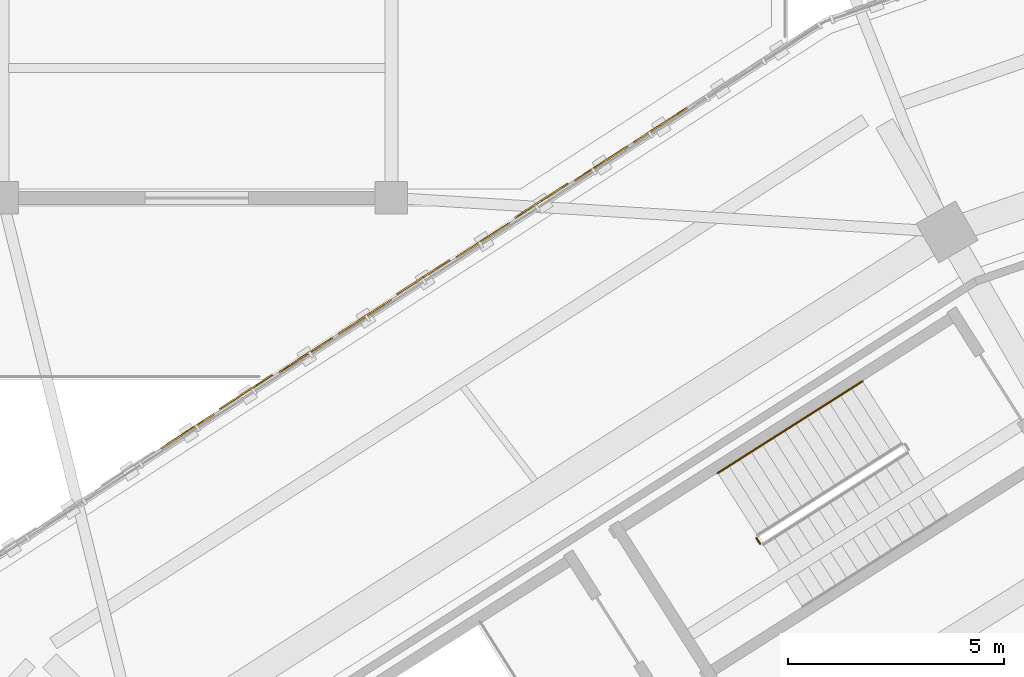
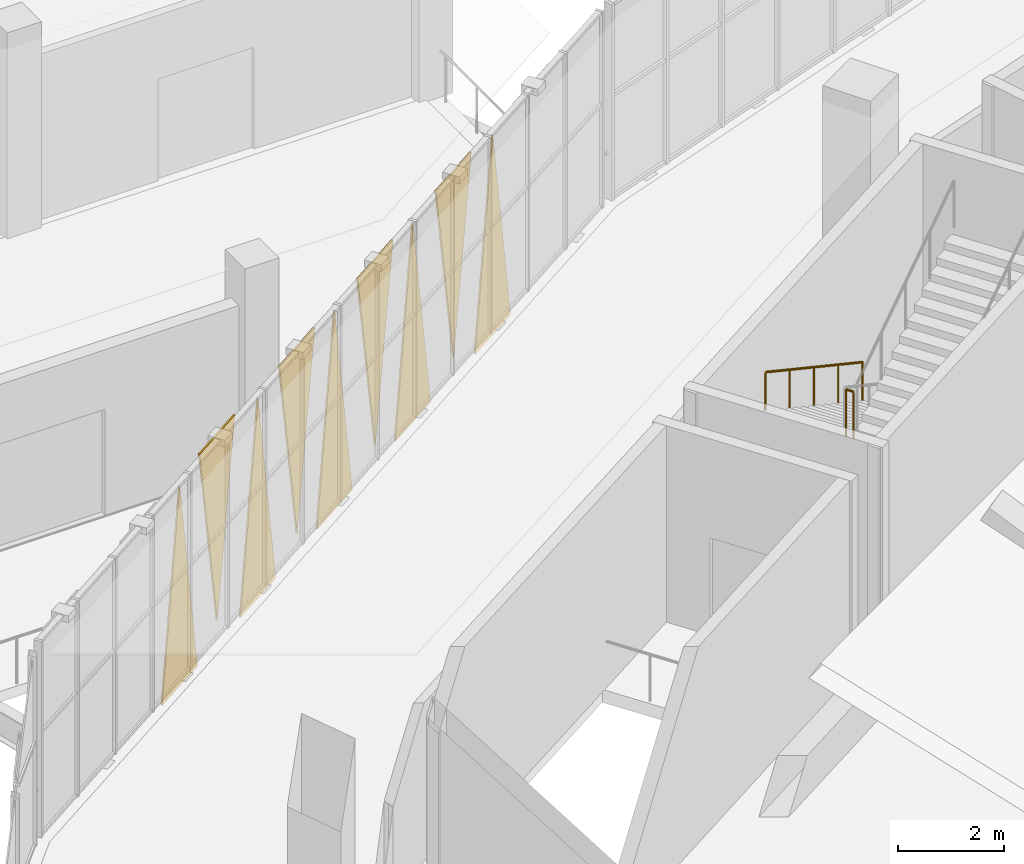
# One storey, part 140 of 152: 9 coverings, 2 railings.
"""IFC4 building model written with IfcOpenShell, lengths in metres."""

import ifcopenshell
import ifcopenshell.guid

model = None  # the IFC model being written
_history = None  # IfcOwnerHistory: only IFC2X3 demands one
_inside = {}  # id of a spatial element -> (the spatial element, [elements in it])
_under = {}  # id of a project, library or spatial element -> (it, [spatial elements below it])
_declared = {}  # id of a project -> (the project, [libraries it declares])
_typed = {}  # id of a type object -> (the type object, [elements of that type])
_made_of = {}  # id of a material, layer set ... -> (it, [elements and type objects made of it])


def new_model(schema):
    """Start an empty IFC model of exactly this schema.

    Asked for "IFC4X3", IfcOpenShell would pick the latest addendum, in which some entities
    have other attributes; the version numbers below select the first issue.
    IFC2X3 requires an IfcOwnerHistory on every rooted entity: one is made here for all.
    """
    global model, _history
    if schema == "IFC4X3":
        model = ifcopenshell.file(schema_version=(4, 3, 0, 0))
    else:
        model = ifcopenshell.file(schema=schema)
    _inside.clear()
    _under.clear()
    _declared.clear()
    _typed.clear()
    _made_of.clear()
    _history = None
    if model.schema == "IFC2X3":
        org = make("IfcOrganization", Name="unknown")
        user = make(
            "IfcPersonAndOrganization",
            ThePerson=make("IfcPerson", FamilyName="unknown"),
            TheOrganization=org,
        )
        app = make(
            "IfcApplication",
            ApplicationDeveloper=org,
            Version="unknown",
            ApplicationFullName="unknown",
            ApplicationIdentifier="unknown",
        )
        _history = make(
            "IfcOwnerHistory",
            OwningUser=user,
            OwningApplication=app,
            ChangeAction="ADDED",
            CreationDate=0,
        )
    return model


def make(cls, **values):
    """One entity of the class cls with the attributes given. An attribute that is None is left unset."""
    return model.create_entity(
        cls, **{name: value for name, value in values.items() if value is not None}
    )


def rooted(cls, **values):
    """An entity with a GlobalId (a new one), such as an element, a storey or a relation."""
    return make(cls, GlobalId=ifcopenshell.guid.new(), OwnerHistory=_history, **values)


def si_unit(unit_type, name, prefix=None):
    """IfcSIUnit, for example si_unit("LENGTHUNIT", "METRE", prefix="MILLI")."""
    return make("IfcSIUnit", UnitType=unit_type, Prefix=prefix, Name=name)


def assignment(units):
    """IfcUnitAssignment: the units of a project."""
    return None if units is None else make("IfcUnitAssignment", Units=units)


def point(xyz):
    """IfcCartesianPoint."""
    return None if xyz is None else make("IfcCartesianPoint", Coordinates=xyz)


def direction(xyz):
    """IfcDirection."""
    return None if xyz is None else make("IfcDirection", DirectionRatios=xyz)


def frame(location, z_axis=None, x_axis=None):
    """IfcAxis2Placement3D, a coordinate frame: its origin and axes. An axis left out is left unset."""
    return make(
        "IfcAxis2Placement3D",
        Location=point(location),
        Axis=direction(z_axis),
        RefDirection=direction(x_axis),
    )


def frame_2d(location, x_axis=None):
    """IfcAxis2Placement2D, a coordinate frame in the plane: its origin and x axis."""
    return make(
        "IfcAxis2Placement2D", Location=point(location), RefDirection=direction(x_axis)
    )


def origin():
    """The frame at (0, 0, 0) with its axes left unset."""
    return frame((0.0, 0.0, 0.0))


def origin_2d():
    """The frame at (0, 0) in the plane with its x axis left unset."""
    return frame_2d((0.0, 0.0))


def place(relative_to, where):
    """IfcLocalPlacement: puts the frame where relative to a parent placement (None: the world)."""
    return make(
        "IfcLocalPlacement", PlacementRelTo=relative_to, RelativePlacement=where
    )


def context(
    kind, dimensions, precision=None, world=None, true_north=None, identifier=None
):
    """IfcGeometricRepresentationContext, for example the 3D "Model" context."""
    return make(
        "IfcGeometricRepresentationContext",
        ContextIdentifier=identifier,
        ContextType=kind,
        CoordinateSpaceDimension=dimensions,
        Precision=precision,
        WorldCoordinateSystem=world,
        TrueNorth=true_north,
    )


def subcontext(parent, identifier, kind, view, scale=None):
    """IfcGeometricRepresentationSubContext, for example "Body" below "Model"."""
    return make(
        "IfcGeometricRepresentationSubContext",
        ContextIdentifier=identifier,
        ContextType=kind,
        ParentContext=parent,
        TargetScale=scale,
        TargetView=view,
    )


def project(units=None, contexts=None):
    """IfcProject with its units and contexts."""
    return rooted(
        "IfcProject",
        Name="project",
        RepresentationContexts=contexts,
        UnitsInContext=assignment(units),
    )


def spatial(cls, under=None, at=None, **own):
    """A site, building, storey or space (cls), placed at a placement, below another one or the project."""
    s = rooted(cls, ObjectPlacement=at, **own)
    if under is not None:
        _under.setdefault(under.id(), (under, []))[1].append(s)
    return s


def polyline(points):
    """IfcPolyline through the points."""
    return make("IfcPolyline", Points=[point(p) for p in points])


def profile(cls, at=None, kind="AREA", **sizes):
    """A parametric profile (cls). Its sizes go by their IFC names, for example OverallWidth=200.0."""
    return make(cls, ProfileType=kind, Position=at, **sizes)


def circle(**sizes):
    """IfcCircleProfileDef."""
    return profile("IfcCircleProfileDef", **sizes)


def outline(outer, holes=None, kind="AREA"):
    """IfcArbitraryClosedProfileDef: a profile drawn as a closed curve; with holes, ...WithVoids."""
    if holes is None:
        return make("IfcArbitraryClosedProfileDef", ProfileType=kind, OuterCurve=outer)
    return make(
        "IfcArbitraryProfileDefWithVoids",
        ProfileType=kind,
        OuterCurve=outer,
        InnerCurves=holes,
    )


def extrude(swept, where, along, depth):
    """IfcExtrudedAreaSolid: the profile swept, set in the frame where, extruded along a direction by depth."""
    return make(
        "IfcExtrudedAreaSolid",
        SweptArea=swept,
        Position=where,
        ExtrudedDirection=direction(along),
        Depth=depth,
    )


def shape(context_of_items, identifier, shape_type, items):
    """IfcShapeRepresentation: the items that make up one representation, for example the "Body"."""
    return make(
        "IfcShapeRepresentation",
        ContextOfItems=context_of_items,
        RepresentationIdentifier=identifier,
        RepresentationType=shape_type,
        Items=items,
    )


def material(Name=None, Category=None):
    """IfcMaterial."""
    return make("IfcMaterial", Name=Name, Category=Category)


def layer(
    of_material, thickness, ventilated=None, Name=None, Category=None, Priority=None
):
    """IfcMaterialLayer: one layer of a wall or slab, of a material (None: an air gap)."""
    return make(
        "IfcMaterialLayer",
        Material=of_material,
        LayerThickness=thickness,
        IsVentilated=ventilated,
        Name=Name,
        Category=Category,
        Priority=Priority,
    )


def layer_set(layers, Name=None):
    """IfcMaterialLayerSet."""
    return make("IfcMaterialLayerSet", MaterialLayers=layers, LayerSetName=Name)


def made_of(thing, what):
    """Note that an element or type object is made of a material, layer set ...; save() writes the relation."""
    if what is not None:
        _made_of.setdefault(what.id(), (what, []))[1].append(thing)
    return thing


def type_object(cls, material=None, **own):
    """A type object (cls), such as IfcWallType, which elements share."""
    return made_of(rooted(cls, **own), material)


def element(
    cls,
    number,
    at=None,
    inside=None,
    cuts=None,
    type_object=None,
    material=None,
    context=None,
    identifier="Body",
    shape_type=None,
    held_by="IfcProductDefinitionShape",
    body=None,
    shapes=None,
    **own,
):
    """One element of the class cls, such as IfcWall. Its Tag is "e" and its number.

    at: its placement. inside: the storey or other place that contains it. cuts: it is an
    opening in that element (IfcRelVoidsElement). A single representation is given by context,
    identifier, shape_type and body (its items); several are given by shapes. held_by: the class
    of the entity that holds the representations. save() writes the other relations.
    """
    e = rooted(cls, Tag="e%d" % number, ObjectPlacement=at, **own)
    if body is not None:
        shapes = [shape(context, identifier, shape_type, body)]
    if shapes is not None:
        e.Representation = make(held_by, Representations=shapes)
    if inside is not None:
        _inside.setdefault(inside.id(), (inside, []))[1].append(e)
    if cuts is not None:
        rooted(
            "IfcRelVoidsElement", RelatingBuildingElement=cuts, RelatedOpeningElement=e
        )
    if type_object is not None:
        _typed.setdefault(type_object.id(), (type_object, []))[1].append(e)
    return made_of(e, material)


def aggregate(whole, parts):
    """IfcRelAggregates: a whole, such as a stair, and the parts it consists of."""
    return rooted("IfcRelAggregates", RelatingObject=whole, RelatedObjects=parts)


def save(model, path):
    """Write the relations noted so far, then the file.

    IfcRelAggregates (storeys below a building ...), IfcRelContainedInSpatialStructure (elements
    in a storey), IfcRelDefinesByType, IfcRelAssociatesMaterial and IfcRelDeclares: one each for
    every whole, place, type object, material and project.
    """
    for whole, parts in _under.values():
        aggregate(whole, parts)
    for where, things in _inside.values():
        rooted(
            "IfcRelContainedInSpatialStructure",
            RelatedElements=things,
            RelatingStructure=where,
        )
    for kind, things in _typed.values():
        rooted("IfcRelDefinesByType", RelatedObjects=things, RelatingType=kind)
    for what, things in _made_of.values():
        rooted("IfcRelAssociatesMaterial", RelatedObjects=things, RelatingMaterial=what)
    for by, libraries in _declared.values():
        rooted("IfcRelDeclares", RelatingContext=by, RelatedDefinitions=libraries)
    model.write(path)


model = new_model("IFC4")

# Units and contexts
model_context = context("Model", 3, precision=1e-05, world=origin(), true_north=direction((0.0, 1.0)))
body_context = subcontext(model_context, "Body", "Model", "MODEL_VIEW")
ifc_project = project(units=[si_unit("LENGTHUNIT", "METRE"), si_unit("AREAUNIT", "SQUARE_METRE"), si_unit("VOLUMEUNIT", "CUBIC_METRE"), si_unit("PLANEANGLEUNIT", "RADIAN"), si_unit("MASSUNIT", "GRAM", prefix="KILO")], contexts=[model_context])

# Site, building, storey
site_placement = place(None, origin())
site = spatial("IfcSite", under=ifc_project, at=site_placement, CompositionType="ELEMENT")
building_placement = place(site_placement, origin())
building = spatial("IfcBuilding", under=site, at=building_placement, Name="Zevraka Park Crest Stadium", CompositionType="ELEMENT")
storey_placement = place(building_placement, frame((0.0, 0.0, 15.0)))
storey = spatial("IfcBuildingStorey", under=building, at=storey_placement, Name="L03", CompositionType="ELEMENT", Elevation=15.0)

# Coverings
ifc_material_1 = material(Name="Architectural golden-bronze perforated aluminium", Category="aluminium")
ifc_layer = layer(ifc_material_1, 0.034912109375)
ifc_layer_set = layer_set([ifc_layer], Name="Architectural golden-bronze perforated aluminium")
covering_type = type_object("IfcCoveringType", Name="CLD01", PredefinedType="CLADDING", material=ifc_layer_set)
covering_1_placement = place(storey_placement, frame((60.822998046875, 160.091064453125, -0.260009765625), z_axis=(-0.54371325202, 0.839271052215, 2.2174779e-05), x_axis=(-0.839271052422, -0.543713252153, 0.0)))
element("IfcCovering", 1, at=covering_1_placement, inside=storey, type_object=covering_type, Name="Triangular Golden-Bronze Perforated Cladding L03-08-3", PredefinedType="CLADDING", context=body_context, shape_type="SweptSolid", body=[
    extrude(outline(polyline([(0.0, 0.0), (1.467861414015771, 1.6940658945086007e-21), (0.7339970782544862, 4.620117188635904), (0.0, 0.0)])), origin(), (0.0, 0.0, -1.0), 0.034912109375),
])
covering_2_placement = place(storey_placement, frame((58.22509765625, 158.408935546875, 4.52001953125), z_axis=(-0.543244375425, 0.839574615128, 0.000119169735), x_axis=(0.83957462109, 0.543244379282, 0.0)))
element("IfcCovering", 2, at=covering_2_placement, inside=storey, type_object=covering_type, Name="Triangular Golden-Bronze Perforated Cladding L03-08-4", PredefinedType="CLADDING", context=body_context, shape_type="SweptSolid", body=[
    extrude(outline(polyline([(0.0, 0.0), (1.4673306729433993, 0.0), (0.7339969065274139, 4.300048858658413), (0.0, 0.0)])), origin(), (0.0, 0.0, -1.0), 0.034912109375),
])
covering_3_placement = place(storey_placement, frame((58.090087890625, 158.322021484375, -0.260009765625), z_axis=(0.543941018688, -0.839123449754, 6.5286052e-05), x_axis=(-0.839123451542, -0.543941019847, 0.0)))
element("IfcCovering", 3, at=covering_3_placement, inside=storey, type_object=covering_type, Name="Triangular Golden-Bronze Perforated Cladding L03-08-5", PredefinedType="CLADDING", context=body_context, shape_type="SweptSolid", body=[
    extrude(outline(polyline([(0.0, 0.0), (1.4672467675796603, -6.776263578034403e-21), (0.7338642809254232, -4.62011719734609), (0.0, 0.0)])), origin(), (0.0, 0.0, -1.0), 0.034912109375),
])
covering_4_placement = place(storey_placement, frame((55.491943359375, 156.639892578125, 4.52001953125), z_axis=(-0.54363736266, 0.839320210873, 3.9259569e-05), x_axis=(0.839320211519, 0.543637363078, 0.0)))
element("IfcCovering", 4, at=covering_4_placement, inside=storey, type_object=covering_type, Name="Triangular Golden-Bronze Perforated Cladding L03-08-6", PredefinedType="CLADDING", context=body_context, shape_type="SweptSolid", body=[
    extrude(outline(polyline([(0.0, 0.0), (1.4680663201763386, 3.3881317890172014e-21), (0.7339970659904593, 4.300048831438862), (0.0, 0.0)])), origin(), (0.0, 0.0, -1.0), 0.034912109375),
])
covering_5_placement = place(storey_placement, frame((55.35791015625, 156.552978515625, -0.260009765625), z_axis=(0.54371325202, -0.839271052215, 2.2174779e-05), x_axis=(-0.839271052422, -0.543713252153, 0.0)))
element("IfcCovering", 5, at=covering_5_placement, inside=storey, type_object=covering_type, Name="Triangular Golden-Bronze Perforated Cladding L03-08-7", PredefinedType="CLADDING", context=body_context, shape_type="SweptSolid", body=[
    extrude(outline(polyline([(0.0, 0.0), (1.467861414015771, 1.6940658945086007e-21), (0.7338643357612847, -4.620117188635904), (0.0, 0.0)])), origin(), (0.0, 0.0, -1.0), 0.034912109375),
])
covering_6_placement = place(storey_placement, frame((52.760009765625, 154.87109375, 4.52001953125), z_axis=(-0.543596081623, 0.839346948552, 0.0), x_axis=(0.839346948552, 0.543596081623, 0.0)))
element("IfcCovering", 6, at=covering_6_placement, inside=storey, type_object=covering_type, Name="Triangular Golden-Bronze Perforated Cladding L03-08-8", PredefinedType="CLADDING", context=body_context, shape_type="SweptSolid", body=[
    extrude(outline(polyline([(0.0, 0.0), (1.4677286858249659, 0.0), (0.7338643429124829, 4.300048828125), (0.0, 0.0)])), origin(), (0.0, 0.0, -1.0), 0.034912109375),
])
covering_7_placement = place(storey_placement, frame((52.6259765625, 154.783935546875, -0.260009765625), z_axis=(-0.543596081623, 0.839346948552, 0.0), x_axis=(-0.839346948552, -0.543596081623, 0.0)))
element("IfcCovering", 7, at=covering_7_placement, inside=storey, type_object=covering_type, Name="Triangular Golden-Bronze Perforated Cladding L03-08-9", PredefinedType="CLADDING", context=body_context, shape_type="SweptSolid", body=[
    extrude(outline(polyline([(0.0, 0.0), (1.4677286858249659, 0.0), (0.7338643429124829, 4.620117187499999), (0.0, 0.0)])), origin(), (0.0, 0.0, -1.0), 0.034912109375),
])
covering_8_placement = place(storey_placement, frame((50.028076171875, 153.10205078125, 4.52001953125), z_axis=(0.543899793861, -0.839150171557, 6.1761176e-05), x_axis=(0.839150173157, 0.543899794898, 0.0)))
element("IfcCovering", 8, at=covering_8_placement, inside=storey, type_object=covering_type, Name="Triangular Golden-Bronze Perforated Cladding L03-08-10", PredefinedType="CLADDING", context=body_context, shape_type="SweptSolid", body=[
    extrude(outline(polyline([(0.0, 0.0), (1.466909107125423, 0.0), (0.7338642948581983, -4.3000488363261455), (0.0, 0.0)])), origin(), (0.0, 0.0, -1.0), 0.034912109375),
])
covering_9_placement = place(storey_placement, frame((49.89306640625, 153.014892578125, -0.260009765625), z_axis=(-0.543051202875, 0.839699577485, 0.000103092621), x_axis=(-0.839699581947, -0.543051205761, 0.0)))
element("IfcCovering", 9, at=covering_9_placement, inside=storey, type_object=covering_type, Name="Triangular Golden-Bronze Perforated Cladding L03-08-11", PredefinedType="CLADDING", context=body_context, shape_type="SweptSolid", body=[
    extrude(outline(polyline([(0.0, 0.0), (1.4674030580295612, 0.0), (0.7338641883459691, 4.620117212051507), (0.0, 0.0)])), origin(), (0.0, 0.0, -1.0), 0.034912109375),
])

# Railings
ifc_material_2 = material(Name="Powder-coated tubular steel stairwell guard", Category="steel")
railing_type_1 = type_object("IfcRailingType", Name="GR03", PredefinedType="GUARDRAIL", material=ifc_material_2)
railing_1_placement = place(storey_placement, frame((62.442138671875, 150.1318359375, 2.39990234375)))
element("IfcRailing", 10, at=railing_1_placement, inside=storey, type_object=railing_type_1, Name="L03 ST09 stair guard 2", PredefinedType="GUARDRAIL", context=body_context, shape_type="SweptSolid", body=[
    extrude(circle(Radius=0.02392578125, at=origin_2d()), frame((0.0, 0.0, 1.076171875), z_axis=(0.535887230789, -0.844289568736, 0.0), x_axis=(0.844289568736, 0.535887230789, 0.0)), (0.0, 0.0, 1.0), 0.159912109375),
    extrude(circle(Radius=0.02099609375, at=origin_2d()), origin(), (0.0, 0.0, 1.0), 1.052001953125),
    extrude(circle(Radius=0.02099609375, at=origin_2d()), frame((0.085693359375, -0.135009765625, 0.0)), (0.0, 0.0, 1.0), 1.052001953125),
])
ifc_material_3 = material(Name="Brushed stainless steel continuous handrail", Category="steel")
railing_type_2 = type_object("IfcRailingType", Name="HR01", PredefinedType="HANDRAIL", material=ifc_material_3)
railing_2_placement = place(storey_placement, frame((64.894775390625, 153.760498046875, 0.17138671875)))
element("IfcRailing", 11, at=railing_2_placement, inside=storey, type_object=railing_type_2, Name="L03 ST09 stair handrail 1", PredefinedType="HANDRAIL", context=body_context, shape_type="SweptSolid", body=[
    extrude(circle(Radius=0.02392578125, at=origin_2d()), frame((0.0, 0.0, 0.8759765625), z_axis=(-0.736092217986, -0.467002282249, 0.489976647398), x_axis=(0.535715535947, -0.844398522349, 0.0)), (0.0, 0.0, 1.0), 4.548095703125),
    extrude(circle(Radius=0.02099609375, at=origin_2d()), origin(), (0.0, 0.0, 1.0), 0.851806640625),
    extrude(circle(Radius=0.02099609375, at=origin_2d()), frame((-0.8369140625, -0.531005859375, 0.55712890625)), (0.0, 0.0, 1.0), 0.851806640625),
    extrude(circle(Radius=0.02099609375, at=origin_2d()), frame((-1.673828125, -1.06201171875, 1.1142578125)), (0.0, 0.0, 1.0), 0.851806640625),
    extrude(circle(Radius=0.02099609375, at=origin_2d()), frame((-2.510986328125, -1.593017578125, 1.67138671875)), (0.0, 0.0, 1.0), 0.851806640625),
    extrude(circle(Radius=0.02099609375, at=origin_2d()), frame((-3.347900390625, -2.1240234375, 2.228515625)), (0.0, 0.0, 1.0), 0.851806640625),
])

save(model, "model.ifc")
